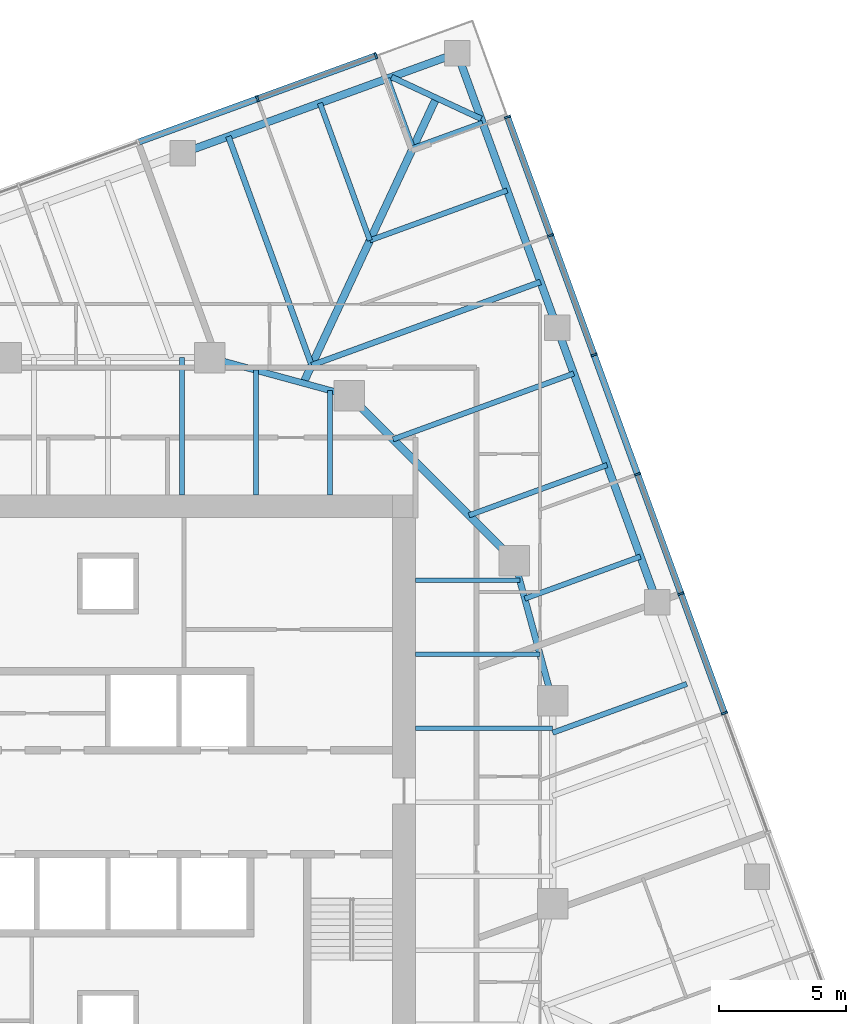
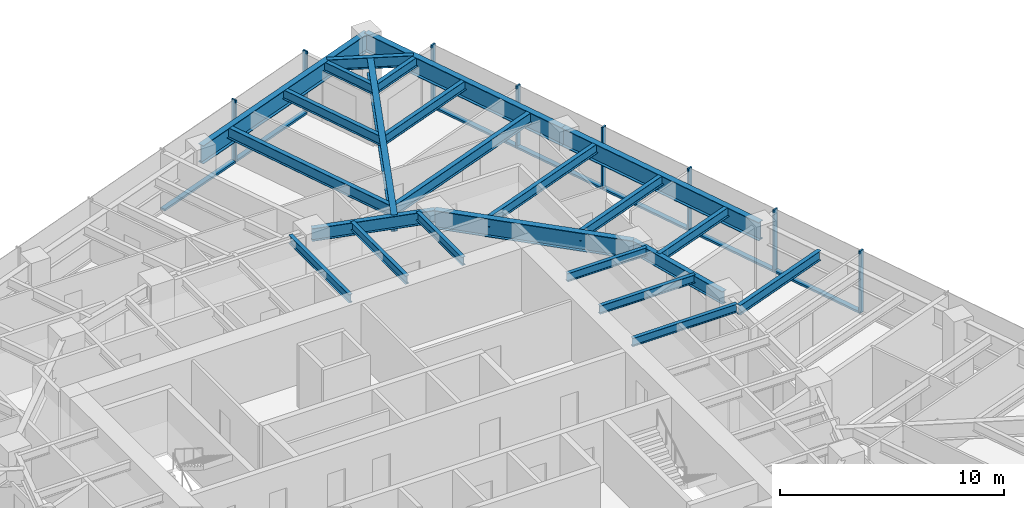
# One storey, part 5 of 13: 24 beams, 15 members, 2 elements without a shape of their own.
"""IFC4 building model written with IfcOpenShell, lengths in metres."""

from ifc_helpers import new_model, si_unit, direction, frame, origin, origin_2d, place, context, subcontext, project, spatial, rectangle, i_section, extrude, material, material_profile, profile_set, type_object, element, aggregate, save


model = new_model("IFC4")

# Units and contexts
model_context = context("Model", 3, precision=1e-05, world=origin(), true_north=direction((0.0, 1.0)))
body_context = subcontext(model_context, "Body", "Model", "MODEL_VIEW")
ifc_project = project(units=[si_unit("LENGTHUNIT", "METRE"), si_unit("AREAUNIT", "SQUARE_METRE"), si_unit("VOLUMEUNIT", "CUBIC_METRE"), si_unit("PLANEANGLEUNIT", "RADIAN"), si_unit("MASSUNIT", "GRAM", prefix="KILO")], contexts=[model_context])

# Site, building, storey
site_placement = place(None, origin())
site = spatial("IfcSite", under=ifc_project, at=site_placement, CompositionType="ELEMENT")
building_placement = place(site_placement, origin())
building = spatial("IfcBuilding", under=site, at=building_placement, Name="Torsade Residences", CompositionType="ELEMENT")
storey_placement = place(building_placement, frame((0.0, 0.0, 160.800048828125)))
storey = spatial("IfcBuildingStorey", under=building, at=storey_placement, Name="L44", CompositionType="ELEMENT", Elevation=160.800048828125)

# Beams
ifc_material_1 = material(Name="Steel grade 300", Category="steel")
ifc_material_profile_1 = material_profile(ifc_material_1, i_section(OverallWidth=0.300048828125, OverallDepth=0.89990234375, WebThickness=0.011962890625, FlangeThickness=0.02490234375, at=origin_2d()), Name="900WB175")
ifc_profile_set_1 = profile_set([ifc_material_profile_1], Name="Steel grade 300")
beam_type_1 = type_object("IfcBeamType", Name="CORNER GIRDER 900WB175", PredefinedType="BEAM", material=ifc_profile_set_1)
beam_1_placement = place(storey_placement, frame((52.924560546875, 57.717041015625, 2.800048828125), z_axis=(-0.422616712682, -0.906308509373, 0.0), x_axis=(0.906308509373, -0.422616712682, 0.0)))
element("IfcBeam", 1, at=beam_1_placement, inside=storey, type_object=beam_type_1, Name="Corner girder 09 L45", PredefinedType="BEAM", context=body_context, shape_type="SweptSolid", body=[
    extrude(i_section(OverallWidth=0.300048828125, OverallDepth=0.89990234375, WebThickness=0.011962890625, FlangeThickness=0.02490234375, at=origin_2d()), origin(), (0.0, 0.0, 1.0), 12.3837890625),
])
ifc_material_2 = material(Name="Steel grade 300", Category="steel")
ifc_material_profile_2 = material_profile(ifc_material_2, i_section(OverallWidth=0.22802734375, OverallDepth=0.60205078125, WebThickness=0.010498046875, FlangeThickness=0.014892578125, FilletRadius=0.013916015625, at=origin_2d()), Name="610UB101")
ifc_profile_set_2 = profile_set([ifc_material_profile_2], Name="Steel grade 300")
beam_type_2 = type_object("IfcBeamType", Name="CORNER TRIMMER 610UB101", PredefinedType="BEAM", material=ifc_profile_set_2)
beam_2_placement = place(storey_placement, frame((51.162353515625, 58.538818359375, 2.948974609375), z_axis=(0.906309798645, -0.422613947806, 0.0), x_axis=(0.422613947806, 0.906309798645, 0.0)))
element("IfcBeam", 2, at=beam_2_placement, inside=storey, type_object=beam_type_2, Name="Corner trimmer 09 L45", PredefinedType="BEAM", context=body_context, shape_type="SweptSolid", body=[
    extrude(i_section(OverallWidth=0.22802734375, OverallDepth=0.60205078125, WebThickness=0.010498046875, FlangeThickness=0.014892578125, FilletRadius=0.013916015625, at=origin_2d()), origin(), (0.0, 0.0, 1.0), 3.888916015625),
])
ifc_material_3 = material(Name="Steel grade 300", Category="steel")
ifc_material_profile_3 = material_profile(ifc_material_3, i_section(OverallWidth=0.300048828125, OverallDepth=1.0, WebThickness=0.01611328125, FlangeThickness=0.028076171875, at=origin_2d()), Name="1000WB215")
ifc_profile_set_3 = profile_set([ifc_material_profile_3], Name="Steel grade 300")
beam_type_3 = type_object("IfcBeamType", Name="EDGE BEAM 1000WB215", PredefinedType="SPANDREL", material=ifc_profile_set_3)
for number, where, z_axis, x_axis, name in (
    (3, (61.613037109375, 37.866455078125, 2.75), (-0.342031119628, 0.939688625666, 0.0), (-0.939688625666, -0.342031119628, 0.0), "Edge beam 07 L45"),
    (4, (57.6796875, 48.6728515625, 2.75), (-0.342005550448, 0.939697932031, 0.0), (-0.939697932031, -0.342005550448, 0.0), "Edge beam 08 L45"),
):
    element("IfcBeam", number, at=place(storey_placement, frame(where, z_axis=z_axis, x_axis=x_axis)), inside=storey, type_object=beam_type_3, Name=name, PredefinedType="SPANDREL", context=body_context, shape_type="SweptSolid", body=[
        extrude(i_section(OverallWidth=0.300048828125, OverallDepth=1.0, WebThickness=0.01611328125, FlangeThickness=0.028076171875, at=origin_2d()), origin(), (0.0, 0.0, 1.0), 11.5),
    ])
beam_3_placement = place(storey_placement, frame((53.74658203125, 59.4794921875, 2.75), z_axis=(-0.93969110915, -0.342024296483, 0.0), x_axis=(0.342024296483, -0.93969110915, 0.0)))
element("IfcBeam", 5, at=beam_3_placement, inside=storey, type_object=beam_type_3, Name="Edge beam 09 L45", PredefinedType="SPANDREL", context=body_context, shape_type="SweptSolid", body=[
    extrude(i_section(OverallWidth=0.300048828125, OverallDepth=1.0, WebThickness=0.01611328125, FlangeThickness=0.028076171875, at=origin_2d()), origin(), (0.0, 0.0, 1.0), 11.500244140625),
])
ifc_material_4 = material(Name="Steel grade 300", Category="steel")
ifc_material_profile_4 = material_profile(ifc_material_4, i_section(OverallWidth=0.18994140625, OverallDepth=0.4541015625, WebThickness=0.008544921875, FlangeThickness=0.0126953125, FilletRadius=0.011474609375, at=origin_2d()), Name="460UB67.1")
ifc_profile_set_4 = profile_set([ifc_material_profile_4], Name="Steel grade 300")
beam_type_4 = type_object("IfcBeamType", Name="INNER FLOOR BEAM 460UB67.1", PredefinedType="JOIST", material=ifc_profile_set_4)
beam_4_placement = place(storey_placement, frame((42.91259765625, 42.10009765625, 3.02294921875), z_axis=(0.0, 1.0, 0.0), x_axis=(-1.0, 0.0, 0.0)))
element("IfcBeam", 6, at=beam_4_placement, inside=storey, type_object=beam_type_4, Name="Inner floor beam IN05 L45", PredefinedType="JOIST", context=body_context, shape_type="SweptSolid", body=[
    extrude(i_section(OverallWidth=0.18994140625, OverallDepth=0.4541015625, WebThickness=0.008544921875, FlangeThickness=0.0126953125, FilletRadius=0.011474609375, at=origin_2d()), origin(), (0.0, 0.0, 1.0), 5.39990234375),
])
beam_5_placement = place(storey_placement, frame((45.824951171875, 42.10009765625, 3.02294921875), z_axis=(0.0, 1.0, 0.0), x_axis=(-1.0, 0.0, 0.0)))
element("IfcBeam", 7, at=beam_5_placement, inside=storey, type_object=beam_type_4, Name="Inner floor beam IN06 L45", PredefinedType="JOIST", context=body_context, shape_type="SweptSolid", body=[
    extrude(i_section(OverallWidth=0.18994140625, OverallDepth=0.4541015625, WebThickness=0.008544921875, FlangeThickness=0.0126953125, FilletRadius=0.011474609375, at=origin_2d()), origin(), (0.0, 0.0, 1.0), 4.902099609375),
])
beam_6_placement = place(storey_placement, frame((48.737548828125, 42.10009765625, 3.02294921875), z_axis=(0.0, 1.0, 0.0), x_axis=(-1.0, 0.0, 0.0)))
element("IfcBeam", 8, at=beam_6_placement, inside=storey, type_object=beam_type_4, Name="Inner floor beam IN07 L45", PredefinedType="JOIST", context=body_context, shape_type="SweptSolid", body=[
    extrude(i_section(OverallWidth=0.18994140625, OverallDepth=0.4541015625, WebThickness=0.008544921875, FlangeThickness=0.0126953125, FilletRadius=0.011474609375, at=origin_2d()), origin(), (0.0, 0.0, 1.0), 4.10791015625),
])
beam_7_placement = place(storey_placement, frame((52.10009765625, 32.91259765625, 3.02294921875), z_axis=(1.0, 0.0, 0.0), x_axis=(0.0, 1.0, 0.0)))
element("IfcBeam", 9, at=beam_7_placement, inside=storey, type_object=beam_type_4, Name="Inner floor beam IE05 L45", PredefinedType="JOIST", context=body_context, shape_type="SweptSolid", body=[
    extrude(i_section(OverallWidth=0.18994140625, OverallDepth=0.4541015625, WebThickness=0.008544921875, FlangeThickness=0.0126953125, FilletRadius=0.011474609375, at=origin_2d()), origin(), (0.0, 0.0, 1.0), 5.39990234375),
])
beam_8_placement = place(storey_placement, frame((52.10009765625, 35.824951171875, 3.02294921875), z_axis=(1.0, 0.0, 0.0), x_axis=(0.0, 1.0, 0.0)))
element("IfcBeam", 10, at=beam_8_placement, inside=storey, type_object=beam_type_4, Name="Inner floor beam IE06 L45", PredefinedType="JOIST", context=body_context, shape_type="SweptSolid", body=[
    extrude(i_section(OverallWidth=0.18994140625, OverallDepth=0.4541015625, WebThickness=0.008544921875, FlangeThickness=0.0126953125, FilletRadius=0.011474609375, at=origin_2d()), origin(), (0.0, 0.0, 1.0), 4.902099609375),
])
beam_9_placement = place(storey_placement, frame((52.10009765625, 38.737548828125, 3.02294921875), z_axis=(1.0, 0.0, 0.0), x_axis=(0.0, 1.0, 0.0)))
element("IfcBeam", 11, at=beam_9_placement, inside=storey, type_object=beam_type_4, Name="Inner floor beam IE07 L45", PredefinedType="JOIST", context=body_context, shape_type="SweptSolid", body=[
    extrude(i_section(OverallWidth=0.18994140625, OverallDepth=0.4541015625, WebThickness=0.008544921875, FlangeThickness=0.0126953125, FilletRadius=0.011474609375, at=origin_2d()), origin(), (0.0, 0.0, 1.0), 4.10791015625),
])

# Curtain wall, members
ifc_material_5 = material(Name="Aluminium and glass", Category="aluminium")
curtain_wall_type = type_object("IfcCurtainWallType", Name="FRITTED GLASS CURTAIN WALL MID ZONE", PredefinedType="NOTDEFINED", material=ifc_material_5)
curtain_wall_1_placement = place(storey_placement, origin())
curtain_wall_1 = element("IfcCurtainWall", 12, at=curtain_wall_1_placement, inside=storey, type_object=curtain_wall_type, Name="Curtain wall L44 face 4", PredefinedType="NOTDEFINED")
ifc_material_6 = material(Name="Aluminium mullion", Category="aluminium")
ifc_material_profile_5 = material_profile(ifc_material_6, rectangle(XDim=0.25, YDim=0.080078125, at=origin_2d()), Name="MID ZONE CURTAIN WALL MULLION 250x80")
ifc_profile_set_5 = profile_set([ifc_material_profile_5], Name="Aluminium mullion")
member_type_1 = type_object("IfcMemberType", Name="MID ZONE CURTAIN WALL MULLION 250x80", PredefinedType="MULLION", material=ifc_profile_set_5)
member_1_placement = place(storey_placement, frame((64.2626953125, 33.510009765625, 0.0), z_axis=(0.0, 0.0, 1.0), x_axis=(-0.939692619132, -0.342020147869, 0.0)))
member_1 = element("IfcMember", 13, at=member_1_placement, type_object=member_type_1, Name="Mullion 4", PredefinedType="MULLION", context=body_context, shape_type="SweptSolid", body=[
    extrude(rectangle(XDim=0.25, YDim=0.080078125, at=origin_2d()), origin(), (0.0, 0.0, 1.0), 3.39990234375),
])
member_2_placement = place(storey_placement, frame((62.552734375, 38.20849609375, 0.0), z_axis=(0.0, 0.0, 1.0), x_axis=(-0.939692619132, -0.342020147869, 0.0)))
member_2 = element("IfcMember", 14, at=member_2_placement, type_object=member_type_1, Name="Mullion 5", PredefinedType="MULLION", context=body_context, shape_type="SweptSolid", body=[
    extrude(rectangle(XDim=0.25, YDim=0.080078125, at=origin_2d()), origin(), (0.0, 0.0, 1.0), 3.39990234375),
])
member_3_placement = place(storey_placement, frame((60.842529296875, 42.906982421875, 0.0), z_axis=(0.0, 0.0, 1.0), x_axis=(-0.939692619132, -0.342020147869, 0.0)))
member_3 = element("IfcMember", 15, at=member_3_placement, type_object=member_type_1, Name="Mullion 6", PredefinedType="MULLION", context=body_context, shape_type="SweptSolid", body=[
    extrude(rectangle(XDim=0.25, YDim=0.080078125, at=origin_2d()), origin(), (0.0, 0.0, 1.0), 3.39990234375),
])
member_4_placement = place(storey_placement, frame((59.13232421875, 47.60546875, 0.0), z_axis=(0.0, 0.0, 1.0), x_axis=(-0.939692619132, -0.342020147869, 0.0)))
member_4 = element("IfcMember", 16, at=member_4_placement, type_object=member_type_1, Name="Mullion 7", PredefinedType="MULLION", context=body_context, shape_type="SweptSolid", body=[
    extrude(rectangle(XDim=0.25, YDim=0.080078125, at=origin_2d()), origin(), (0.0, 0.0, 1.0), 3.39990234375),
])
member_5_placement = place(storey_placement, frame((57.42236328125, 52.303955078125, 0.0), z_axis=(0.0, 0.0, 1.0), x_axis=(-0.939692619132, -0.342020147869, 0.0)))
member_5 = element("IfcMember", 17, at=member_5_placement, type_object=member_type_1, Name="Mullion 8", PredefinedType="MULLION", context=body_context, shape_type="SweptSolid", body=[
    extrude(rectangle(XDim=0.25, YDim=0.080078125, at=origin_2d()), origin(), (0.0, 0.0, 1.0), 3.39990234375),
])
member_6_placement = place(storey_placement, frame((55.725830078125, 56.96484375, 0.0), z_axis=(0.0, 0.0, 1.0), x_axis=(-0.939692619132, -0.342020147869, 0.0)))
member_6 = element("IfcMember", 18, at=member_6_placement, type_object=member_type_1, Name="Mullion 9", PredefinedType="MULLION", context=body_context, shape_type="SweptSolid", body=[
    extrude(rectangle(XDim=0.25, YDim=0.080078125, at=origin_2d()), origin(), (0.0, 0.0, 1.0), 3.39990234375),
])

curtain_wall_2_placement = place(storey_placement, origin())
curtain_wall_2 = element("IfcCurtainWall", 19, at=curtain_wall_2_placement, inside=storey, type_object=curtain_wall_type, Name="Curtain wall L44 face 7", PredefinedType="NOTDEFINED")
member_7_placement = place(storey_placement, frame((50.5478515625, 59.37939453125, 0.0), z_axis=(0.0, 0.0, 1.0), x_axis=(0.342020147869, -0.939692619132, 0.0)))
member_7 = element("IfcMember", 20, at=member_7_placement, type_object=member_type_1, Name="Mullion 1", PredefinedType="MULLION", context=body_context, shape_type="SweptSolid", body=[
    extrude(rectangle(XDim=0.25, YDim=0.080078125, at=origin_2d()), origin(), (0.0, 0.0, 1.0), 3.39990234375),
])
member_8_placement = place(storey_placement, frame((45.886962890625, 57.682861328125, 0.0), z_axis=(0.0, 0.0, 1.0), x_axis=(0.342020147869, -0.939692619132, 0.0)))
member_8 = element("IfcMember", 21, at=member_8_placement, type_object=member_type_1, Name="Mullion 2", PredefinedType="MULLION", context=body_context, shape_type="SweptSolid", body=[
    extrude(rectangle(XDim=0.25, YDim=0.080078125, at=origin_2d()), origin(), (0.0, 0.0, 1.0), 3.39990234375),
])

# Member
ifc_material_7 = material(Name="Aluminium transom", Category="aluminium")
ifc_material_profile_6 = material_profile(ifc_material_7, rectangle(XDim=0.25, YDim=0.110107421875, at=origin_2d()), Name="MID ZONE CURTAIN WALL TRANSOM 250x110")
ifc_profile_set_6 = profile_set([ifc_material_profile_6], Name="Aluminium transom")
member_type_2 = type_object("IfcMemberType", Name="MID ZONE CURTAIN WALL TRANSOM 250x110", PredefinedType="USERDEFINED", material=ifc_profile_set_6)
member_9_placement = place(storey_placement, frame((64.2490234375, 33.547607421875, 0.054931640625), z_axis=(-0.341998044792, 0.9397006637, 0.0), x_axis=(-0.9397006637, -0.341998044792, 0.0)))
member_9 = element("IfcMember", 22, at=member_9_placement, type_object=member_type_2, Name="Transom 4.1", ObjectType="TRANSOM", PredefinedType="USERDEFINED", context=body_context, shape_type="SweptSolid", body=[
    extrude(rectangle(XDim=0.25, YDim=0.110107421875, at=origin_2d()), origin(), (0.0, 0.0, 1.0), 4.919921875),
])

member_10_placement = place(storey_placement, frame((62.5390625, 38.24609375, 0.054931640625), z_axis=(-0.342041862168, 0.93968471549, 0.0), x_axis=(-0.93968471549, -0.342041862168, 0.0)))
member_10 = element("IfcMember", 23, at=member_10_placement, type_object=member_type_2, Name="Transom 5.1", ObjectType="TRANSOM", PredefinedType="USERDEFINED", context=body_context, shape_type="SweptSolid", body=[
    extrude(rectangle(XDim=0.25, YDim=0.110107421875, at=origin_2d()), origin(), (0.0, 0.0, 1.0), 4.920166015625),
])

member_11_placement = place(storey_placement, frame((60.828857421875, 42.944580078125, 0.054931640625), z_axis=(-0.342041862168, 0.93968471549, 0.0), x_axis=(-0.93968471549, -0.342041862168, 0.0)))
member_11 = element("IfcMember", 24, at=member_11_placement, type_object=member_type_2, Name="Transom 6.1", ObjectType="TRANSOM", PredefinedType="USERDEFINED", context=body_context, shape_type="SweptSolid", body=[
    extrude(rectangle(XDim=0.25, YDim=0.110107421875, at=origin_2d()), origin(), (0.0, 0.0, 1.0), 4.920166015625),
])

member_12_placement = place(storey_placement, frame((59.11865234375, 47.64306640625, 0.054931640625), z_axis=(-0.341998044792, 0.9397006637, 0.0), x_axis=(-0.9397006637, -0.341998044792, 0.0)))
member_12 = element("IfcMember", 25, at=member_12_placement, type_object=member_type_2, Name="Transom 7.1", ObjectType="TRANSOM", PredefinedType="USERDEFINED", context=body_context, shape_type="SweptSolid", body=[
    extrude(rectangle(XDim=0.25, YDim=0.110107421875, at=origin_2d()), origin(), (0.0, 0.0, 1.0), 4.919921875),
])

member_13_placement = place(storey_placement, frame((57.40869140625, 52.341552734375, 0.054931640625), z_axis=(-0.342044311564, 0.939683823915, 0.0), x_axis=(-0.939683823915, -0.342044311564, 0.0)))
member_13 = element("IfcMember", 26, at=member_13_placement, type_object=member_type_2, Name="Transom 8.1", ObjectType="TRANSOM", PredefinedType="USERDEFINED", context=body_context, shape_type="SweptSolid", body=[
    extrude(rectangle(XDim=0.25, YDim=0.110107421875, at=origin_2d()), origin(), (0.0, 0.0, 1.0), 4.880126953125),
])

aggregate(curtain_wall_1, [member_1, member_2, member_3, member_4, member_5, member_6, member_9, member_10, member_11, member_12, member_13])

member_14_placement = place(storey_placement, frame((50.51025390625, 59.36572265625, 0.054931640625), z_axis=(-0.939683823915, -0.342044311564, 0.0), x_axis=(0.342044311564, -0.939683823915, 0.0)))
member_14 = element("IfcMember", 27, at=member_14_placement, type_object=member_type_2, Name="Transom 1.1", ObjectType="TRANSOM", PredefinedType="USERDEFINED", context=body_context, shape_type="SweptSolid", body=[
    extrude(rectangle(XDim=0.25, YDim=0.110107421875, at=origin_2d()), origin(), (0.0, 0.0, 1.0), 4.880126953125),
])

member_15_placement = place(storey_placement, frame((45.849365234375, 57.669189453125, 0.054931640625), z_axis=(-0.9397006637, -0.341998044792, 0.0), x_axis=(0.341998044792, -0.9397006637, 0.0)))
member_15 = element("IfcMember", 28, at=member_15_placement, type_object=member_type_2, Name="Transom 2.1", ObjectType="TRANSOM", PredefinedType="USERDEFINED", context=body_context, shape_type="SweptSolid", body=[
    extrude(rectangle(XDim=0.25, YDim=0.110107421875, at=origin_2d()), origin(), (0.0, 0.0, 1.0), 4.919921875),
])

aggregate(curtain_wall_2, [member_7, member_8, member_14, member_15])

# Beams
ifc_material_8 = material(Name="Steel grade 300", Category="steel")
ifc_material_profile_7 = material_profile(ifc_material_8, i_section(OverallWidth=0.300048828125, OverallDepth=1.0, WebThickness=0.01611328125, FlangeThickness=0.028076171875, at=origin_2d()), Name="1000WB215")
ifc_profile_set_7 = profile_set([ifc_material_profile_7], Name="Steel grade 300")
beam_type_5 = type_object("IfcBeamType", Name="RING CORNER GIRDER 1000WB215", PredefinedType="BEAM", material=ifc_profile_set_7)
beam_10_placement = place(storey_placement, frame((56.0, 39.5, 2.75), z_axis=(-0.707106781187, 0.707106781187, 0.0), x_axis=(-0.707106781187, -0.707106781187, 0.0)))
element("IfcBeam", 29, at=beam_10_placement, inside=storey, type_object=beam_type_5, Name="Ring girder IR03 L45", PredefinedType="BEAM", context=body_context, shape_type="SweptSolid", body=[
    extrude(i_section(OverallWidth=0.300048828125, OverallDepth=1.0, WebThickness=0.01611328125, FlangeThickness=0.028076171875, at=origin_2d()), origin(), (0.0, 0.0, 1.0), 9.1923828125),
])
ifc_material_9 = material(Name="Steel grade 300", Category="steel")
ifc_material_profile_8 = material_profile(ifc_material_9, i_section(OverallWidth=0.25, OverallDepth=0.699951171875, WebThickness=0.010009765625, FlangeThickness=0.02001953125, at=origin_2d()), Name="700WB130")
ifc_profile_set_8 = profile_set([ifc_material_profile_8], Name="Steel grade 300")
beam_type_6 = type_object("IfcBeamType", Name="RING GIRDER 700WB130", PredefinedType="BEAM", material=ifc_profile_set_8)
for number, where, z_axis, x_axis, name in (
    (30, (57.5, 34.0, 2.89990234375), (-0.263117405792, 0.964763821238, 0.0), (-0.964763821238, -0.263117405792, 0.0), "Ring girder IR02 L45"),
    (31, (49.5, 46.0, 2.89990234375), (-0.964763821238, 0.263117405792, 0.0), (-0.263117405792, -0.964763821238, 0.0), "Ring girder IR04 L45"),
):
    element("IfcBeam", number, at=place(storey_placement, frame(where, z_axis=z_axis, x_axis=x_axis)), inside=storey, type_object=beam_type_6, Name=name, PredefinedType="BEAM", context=body_context, shape_type="SweptSolid", body=[
        extrude(i_section(OverallWidth=0.25, OverallDepth=0.699951171875, WebThickness=0.010009765625, FlangeThickness=0.02001953125, at=origin_2d()), origin(), (0.0, 0.0, 1.0), 5.700927734375),
    ])
ifc_material_10 = material(Name="Steel grade 300", Category="steel")
ifc_material_profile_9 = material_profile(ifc_material_10, i_section(OverallWidth=0.208984375, OverallDepth=0.528076171875, WebThickness=0.009521484375, FlangeThickness=0.01318359375, FilletRadius=0.013916015625, at=origin_2d()), Name="530UB82.0")
ifc_profile_set_9 = profile_set([ifc_material_profile_9], Name="Steel grade 300")
beam_type_7 = type_object("IfcBeamType", Name="SECONDARY BEAM 530UB82.0", PredefinedType="JOIST", material=ifc_profile_set_9)
beam_11_placement = place(storey_placement, frame((62.781494140625, 34.65576171875, 2.98583984375), z_axis=(-0.939703343336, -0.341990681925, 0.0), x_axis=(0.341990681925, -0.939703343336, 0.0)))
element("IfcBeam", 32, at=beam_11_placement, inside=storey, type_object=beam_type_7, Name="Floor beam FE06 L45", PredefinedType="JOIST", context=body_context, shape_type="SweptSolid", body=[
    extrude(i_section(OverallWidth=0.208984375, OverallDepth=0.528076171875, WebThickness=0.009521484375, FlangeThickness=0.01318359375, FilletRadius=0.013916015625, at=origin_2d()), origin(), (0.0, 0.0, 1.0), 5.620361328125),
])
beam_12_placement = place(storey_placement, frame((60.957275390625, 39.66748046875, 2.98583984375), z_axis=(-0.939694777187, -0.342014218604, 0.0), x_axis=(0.342014218604, -0.939694777187, 0.0)))
element("IfcBeam", 33, at=beam_12_placement, inside=storey, type_object=beam_type_7, Name="Floor beam FE07 L45", PredefinedType="JOIST", context=body_context, shape_type="SweptSolid", body=[
    extrude(i_section(OverallWidth=0.208984375, OverallDepth=0.528076171875, WebThickness=0.009521484375, FlangeThickness=0.01318359375, FilletRadius=0.013916015625, at=origin_2d()), origin(), (0.0, 0.0, 1.0), 4.84326171875),
])
beam_13_placement = place(storey_placement, frame((59.646240234375, 43.269775390625, 2.98583984375), z_axis=(-0.939687428295, -0.342034409239, 0.0), x_axis=(0.342034409239, -0.939687428295, 0.0)))
element("IfcBeam", 34, at=beam_13_placement, inside=storey, type_object=beam_type_7, Name="Floor beam FE08 L45", PredefinedType="JOIST", context=body_context, shape_type="SweptSolid", body=[
    extrude(i_section(OverallWidth=0.208984375, OverallDepth=0.528076171875, WebThickness=0.009521484375, FlangeThickness=0.01318359375, FilletRadius=0.013916015625, at=origin_2d()), origin(), (0.0, 0.0, 1.0), 5.785888671875),
])
beam_14_placement = place(storey_placement, frame((58.335205078125, 46.871826171875, 2.98583984375), z_axis=(-0.939689847531, -0.342027762686, 0.0), x_axis=(0.342027762686, -0.939689847531, 0.0)))
element("IfcBeam", 35, at=beam_14_placement, inside=storey, type_object=beam_type_7, Name="Floor beam FE09 L45", PredefinedType="JOIST", context=body_context, shape_type="SweptSolid", body=[
    extrude(i_section(OverallWidth=0.208984375, OverallDepth=0.528076171875, WebThickness=0.009521484375, FlangeThickness=0.01318359375, FilletRadius=0.013916015625, at=origin_2d()), origin(), (0.0, 0.0, 1.0), 7.573486328125),
])
beam_15_placement = place(storey_placement, frame((55.713134765625, 54.076171875, 2.98583984375), z_axis=(-0.939697932031, -0.342005550448, 0.0), x_axis=(0.342005550448, -0.939697932031, 0.0)))
element("IfcBeam", 36, at=beam_15_placement, inside=storey, type_object=beam_type_7, Name="Floor beam FE11 L45", PredefinedType="JOIST", context=body_context, shape_type="SweptSolid", body=[
    extrude(i_section(OverallWidth=0.208984375, OverallDepth=0.528076171875, WebThickness=0.009521484375, FlangeThickness=0.01318359375, FilletRadius=0.013916015625, at=origin_2d()), origin(), (0.0, 0.0, 1.0), 5.75),
])
for number, where, z_axis, x_axis, name in (
    (37, (54.744140625, 56.738525390625, 2.98583984375), (-0.939700524495, -0.341998427281, 0.0), (0.341998427281, -0.939700524495, 0.0), "Floor beam FE12 L45"),
    (38, (51.005615234375, 58.48193359375, 2.98583984375), (0.341998427281, -0.939700524495, 0.0), (0.939700524495, 0.341998427281, 0.0), "Floor beam FN01 L45"),
):
    element("IfcBeam", number, at=place(storey_placement, frame(where, z_axis=z_axis, x_axis=x_axis)), inside=storey, type_object=beam_type_7, Name=name, PredefinedType="JOIST", context=body_context, shape_type="SweptSolid", body=[
        extrude(i_section(OverallWidth=0.208984375, OverallDepth=0.528076171875, WebThickness=0.009521484375, FlangeThickness=0.01318359375, FilletRadius=0.013916015625, at=origin_2d()), origin(), (0.0, 0.0, 1.0), 2.916748046875),
    ])
beam_16_placement = place(storey_placement, frame((48.34326171875, 57.5126953125, 2.98583984375), z_axis=(0.342019196443, -0.939692965423, 0.0), x_axis=(0.939692965423, 0.342019196443, 0.0)))
element("IfcBeam", 39, at=beam_16_placement, inside=storey, type_object=beam_type_7, Name="Floor beam FN02 L45", PredefinedType="JOIST", context=body_context, shape_type="SweptSolid", body=[
    extrude(i_section(OverallWidth=0.208984375, OverallDepth=0.528076171875, WebThickness=0.009521484375, FlangeThickness=0.01318359375, FilletRadius=0.013916015625, at=origin_2d()), origin(), (0.0, 0.0, 1.0), 5.749755859375),
])
ifc_material_11 = material(Name="Steel grade 300", Category="steel")
ifc_material_profile_10 = material_profile(ifc_material_11, i_section(OverallWidth=0.22900390625, OverallDepth=0.612060546875, WebThickness=0.011962890625, FlangeThickness=0.01953125, FilletRadius=0.013916015625, at=origin_2d()), Name="610UB125")
ifc_profile_set_10 = profile_set([ifc_material_profile_10], Name="Steel grade 300")
beam_type_8 = type_object("IfcBeamType", Name="SECONDARY BEAM 610UB125", PredefinedType="JOIST", material=ifc_profile_set_10)
for number, where, z_axis, x_axis, name in (
    (40, (57.024169921875, 50.47412109375, 2.94384765625), (-0.939687757725, -0.342033504181, 0.0), (0.342033504181, -0.939687757725, 0.0), "Floor beam FE10 L45"),
    (41, (44.740966796875, 56.20166015625, 2.94384765625), (0.342033504181, -0.939687757725, 0.0), (0.939687757725, 0.342033504181, 0.0), "Floor beam FN03 L45"),
):
    element("IfcBeam", number, at=place(storey_placement, frame(where, z_axis=z_axis, x_axis=x_axis)), inside=storey, type_object=beam_type_8, Name=name, PredefinedType="JOIST", context=body_context, shape_type="SweptSolid", body=[
        extrude(i_section(OverallWidth=0.22900390625, OverallDepth=0.612060546875, WebThickness=0.011962890625, FlangeThickness=0.01953125, FilletRadius=0.013916015625, at=origin_2d()), origin(), (0.0, 0.0, 1.0), 9.583251953125),
    ])

save(model, "model.ifc")
